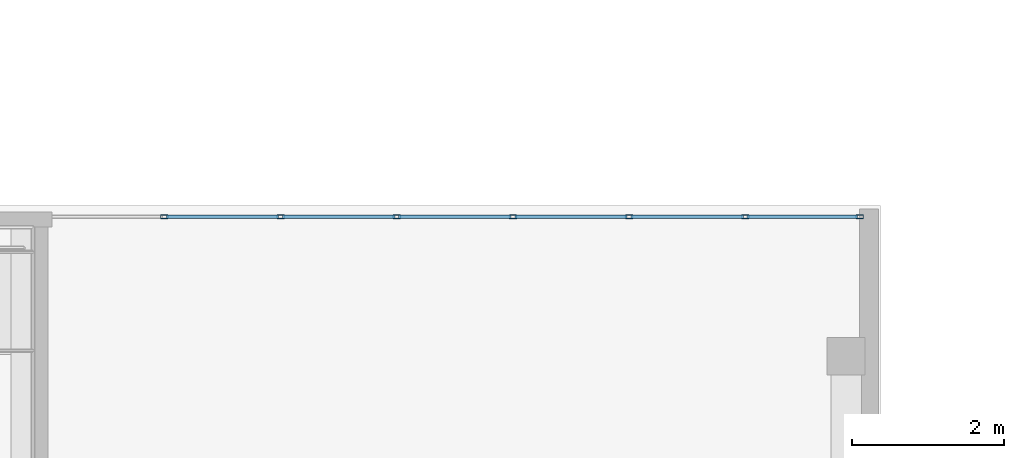
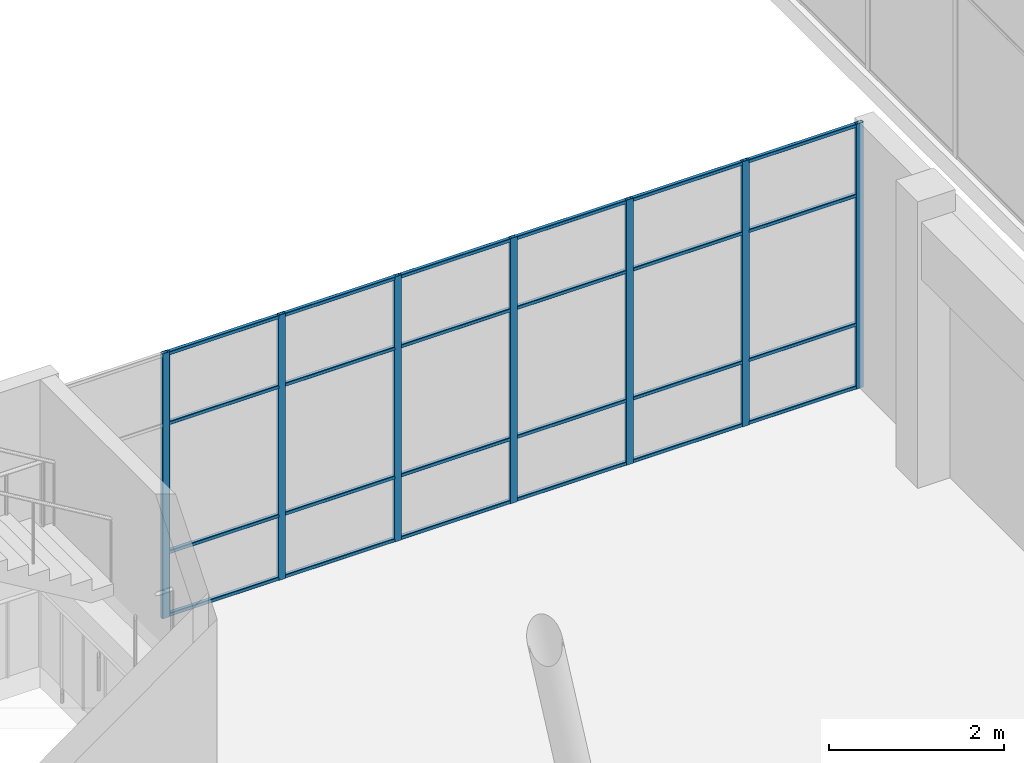
# One storey, part 24 of 65: 31 members, 1 element without a shape of its own.
"""IFC4 building model written with IfcOpenShell, lengths in metres."""

from ifc_helpers import new_model, si_unit, direction, frame, origin, origin_2d, place, context, subcontext, project, spatial, hollow_rectangle, extrude, material, layer, layer_set, material_profile, profile_set, type_object, element, aggregate, save


model = new_model("IFC4")

# Units and contexts
model_context = context("Model", 3, precision=1e-05, world=origin(), true_north=direction((0.0, 1.0)))
body_context = subcontext(model_context, "Body", "Model", "MODEL_VIEW")
ifc_project = project(units=[si_unit("LENGTHUNIT", "METRE"), si_unit("AREAUNIT", "SQUARE_METRE"), si_unit("VOLUMEUNIT", "CUBIC_METRE"), si_unit("PLANEANGLEUNIT", "RADIAN"), si_unit("MASSUNIT", "GRAM", prefix="KILO")], contexts=[model_context])

# Site, building, storey
site_placement = place(None, origin())
site = spatial("IfcSite", under=ifc_project, at=site_placement, CompositionType="ELEMENT")
building_placement = place(site_placement, origin())
building = spatial("IfcBuilding", under=site, at=building_placement, Name="Tuart Plaza Theatre", CompositionType="ELEMENT")
storey_placement = place(building_placement, frame((0.0, 0.0, 9.5)))
storey = spatial("IfcBuildingStorey", under=building, at=storey_placement, Name="L02", CompositionType="ELEMENT", Elevation=9.5)

# Curtain wall, members
ifc_material_1 = material(Name="Aluminium and glass", Category="aluminium")
ifc_layer = layer(ifc_material_1, 0.10009765625)
ifc_layer_set = layer_set([ifc_layer], Name="CURTAIN WALL 1500 module")
curtain_wall_type = type_object("IfcCurtainWallType", Name="CURTAIN WALL 1500 module", PredefinedType="NOTDEFINED", material=ifc_layer_set)
curtain_wall_placement = place(storey_placement, origin())
curtain_wall = element("IfcCurtainWall", 1, at=curtain_wall_placement, inside=storey, type_object=curtain_wall_type, Name="CW36", PredefinedType="NOTDEFINED")
ifc_material_2 = material(Name="Aluminium 6063-T5", Category="aluminium")
ifc_material_profile_1 = material_profile(ifc_material_2, hollow_rectangle(XDim=0.050048828125, YDim=0.10009765625, WallThickness=0.00390625, InnerFilletRadius=0.00390625, OuterFilletRadius=0.008056640625, at=origin_2d()), Name="RHS 100x50x4")
ifc_profile_set_1 = profile_set([ifc_material_profile_1], Name="Aluminium 6063-T5")
member_type_1 = type_object("IfcMemberType", Name="MULLION RHS 100x50x4", PredefinedType="MULLION", material=ifc_profile_set_1)
member_1_placement = place(storey_placement, frame((100.930419921875, 79.8369140625, 0.0), z_axis=(0.0, 0.0, 1.0), x_axis=(0.0, 1.0, 0.0)))
member_1 = element("IfcMember", 2, at=member_1_placement, type_object=member_type_1, Name="CW36 mullion 2", PredefinedType="MULLION", context=body_context, shape_type="SweptSolid", body=[
    extrude(hollow_rectangle(XDim=0.050048828125, YDim=0.10009765625, WallThickness=0.00390625, InnerFilletRadius=0.00390625, OuterFilletRadius=0.008056640625, at=origin_2d()), origin(), (0.0, 0.0, 1.0), 3.699951171875),
])
member_2_placement = place(storey_placement, frame((102.4609375, 79.8369140625, 0.0), z_axis=(0.0, 0.0, 1.0), x_axis=(0.0, 1.0, 0.0)))
member_2 = element("IfcMember", 3, at=member_2_placement, type_object=member_type_1, Name="CW36 mullion 3", PredefinedType="MULLION", context=body_context, shape_type="SweptSolid", body=[
    extrude(hollow_rectangle(XDim=0.050048828125, YDim=0.10009765625, WallThickness=0.00390625, InnerFilletRadius=0.00390625, OuterFilletRadius=0.008056640625, at=origin_2d()), origin(), (0.0, 0.0, 1.0), 3.699951171875),
])
member_3_placement = place(storey_placement, frame((103.9912109375, 79.8369140625, 0.0), z_axis=(0.0, 0.0, 1.0), x_axis=(0.0, 1.0, 0.0)))
member_3 = element("IfcMember", 4, at=member_3_placement, type_object=member_type_1, Name="CW36 mullion 4", PredefinedType="MULLION", context=body_context, shape_type="SweptSolid", body=[
    extrude(hollow_rectangle(XDim=0.050048828125, YDim=0.10009765625, WallThickness=0.00390625, InnerFilletRadius=0.00390625, OuterFilletRadius=0.008056640625, at=origin_2d()), origin(), (0.0, 0.0, 1.0), 3.699951171875),
])
member_4_placement = place(storey_placement, frame((105.521728515625, 79.8369140625, 0.0), z_axis=(0.0, 0.0, 1.0), x_axis=(0.0, 1.0, 0.0)))
member_4 = element("IfcMember", 5, at=member_4_placement, type_object=member_type_1, Name="CW36 mullion 5", PredefinedType="MULLION", context=body_context, shape_type="SweptSolid", body=[
    extrude(hollow_rectangle(XDim=0.050048828125, YDim=0.10009765625, WallThickness=0.00390625, InnerFilletRadius=0.00390625, OuterFilletRadius=0.008056640625, at=origin_2d()), origin(), (0.0, 0.0, 1.0), 3.699951171875),
])
member_5_placement = place(storey_placement, frame((107.05224609375, 79.8369140625, 0.0), z_axis=(0.0, 0.0, 1.0), x_axis=(0.0, 1.0, 0.0)))
member_5 = element("IfcMember", 6, at=member_5_placement, type_object=member_type_1, Name="CW36 mullion 6", PredefinedType="MULLION", context=body_context, shape_type="SweptSolid", body=[
    extrude(hollow_rectangle(XDim=0.050048828125, YDim=0.10009765625, WallThickness=0.00390625, InnerFilletRadius=0.00390625, OuterFilletRadius=0.008056640625, at=origin_2d()), origin(), (0.0, 0.0, 1.0), 3.699951171875),
])
member_6_placement = place(storey_placement, frame((108.58251953125, 79.8369140625, 0.0), z_axis=(0.0, 0.0, 1.0), x_axis=(0.0, 1.0, 0.0)))
member_6 = element("IfcMember", 7, at=member_6_placement, type_object=member_type_1, Name="CW36 mullion 7", PredefinedType="MULLION", context=body_context, shape_type="SweptSolid", body=[
    extrude(hollow_rectangle(XDim=0.050048828125, YDim=0.10009765625, WallThickness=0.00390625, InnerFilletRadius=0.00390625, OuterFilletRadius=0.008056640625, at=origin_2d()), origin(), (0.0, 0.0, 1.0), 3.699951171875),
])
member_7_placement = place(storey_placement, frame((110.087890625, 79.8369140625, 0.0), z_axis=(0.0, 0.0, 1.0), x_axis=(0.0, 1.0, 0.0)))
member_7 = element("IfcMember", 8, at=member_7_placement, type_object=member_type_1, Name="CW36 mullion 8", PredefinedType="MULLION", context=body_context, shape_type="SweptSolid", body=[
    extrude(hollow_rectangle(XDim=0.050048828125, YDim=0.10009765625, WallThickness=0.00390625, InnerFilletRadius=0.00390625, OuterFilletRadius=0.008056640625, at=origin_2d()), origin(), (0.0, 0.0, 1.0), 3.699951171875),
])
ifc_material_3 = material(Name="Aluminium 6063-T5", Category="aluminium")
ifc_material_profile_2 = material_profile(ifc_material_3, hollow_rectangle(XDim=0.050048828125, YDim=0.050048828125, WallThickness=0.00390625, InnerFilletRadius=0.00390625, OuterFilletRadius=0.008056640625, at=origin_2d()), Name="RHS 50x50x4")
ifc_profile_set_2 = profile_set([ifc_material_profile_2], Name="Aluminium 6063-T5")
member_type_2 = type_object("IfcMemberType", Name="TRANSOM RHS 50x50x4", PredefinedType="USERDEFINED", material=ifc_profile_set_2)
member_8_placement = place(storey_placement, frame((100.955322265625, 79.8369140625, 0.02490234375), z_axis=(1.0, 0.0, 0.0), x_axis=(0.0, 1.0, 0.0)))
member_8 = element("IfcMember", 9, at=member_8_placement, type_object=member_type_2, Name="CW36 transom 2.1", ObjectType="TRANSOM", PredefinedType="USERDEFINED", context=body_context, shape_type="SweptSolid", body=[
    extrude(hollow_rectangle(XDim=0.050048828125, YDim=0.050048828125, WallThickness=0.00390625, InnerFilletRadius=0.00390625, OuterFilletRadius=0.008056640625, at=origin_2d()), origin(), (0.0, 0.0, 1.0), 1.48046875),
])
member_9_placement = place(storey_placement, frame((100.955322265625, 79.8369140625, 0.89990234375), z_axis=(1.0, 0.0, 0.0), x_axis=(0.0, 1.0, 0.0)))
member_9 = element("IfcMember", 10, at=member_9_placement, type_object=member_type_2, Name="CW36 transom 2.2", ObjectType="TRANSOM", PredefinedType="USERDEFINED", context=body_context, shape_type="SweptSolid", body=[
    extrude(hollow_rectangle(XDim=0.050048828125, YDim=0.050048828125, WallThickness=0.00390625, InnerFilletRadius=0.00390625, OuterFilletRadius=0.008056640625, at=origin_2d()), origin(), (0.0, 0.0, 1.0), 1.48046875),
])
member_10_placement = place(storey_placement, frame((100.955322265625, 79.8369140625, 2.699951171875), z_axis=(1.0, 0.0, 0.0), x_axis=(0.0, 1.0, 0.0)))
member_10 = element("IfcMember", 11, at=member_10_placement, type_object=member_type_2, Name="CW36 transom 2.3", ObjectType="TRANSOM", PredefinedType="USERDEFINED", context=body_context, shape_type="SweptSolid", body=[
    extrude(hollow_rectangle(XDim=0.050048828125, YDim=0.050048828125, WallThickness=0.00390625, InnerFilletRadius=0.00390625, OuterFilletRadius=0.008056640625, at=origin_2d()), origin(), (0.0, 0.0, 1.0), 1.48046875),
])
member_11_placement = place(storey_placement, frame((100.955322265625, 79.8369140625, 3.675048828125), z_axis=(1.0, 0.0, 0.0), x_axis=(0.0, 1.0, 0.0)))
member_11 = element("IfcMember", 12, at=member_11_placement, type_object=member_type_2, Name="CW36 transom 2.4", ObjectType="TRANSOM", PredefinedType="USERDEFINED", context=body_context, shape_type="SweptSolid", body=[
    extrude(hollow_rectangle(XDim=0.050048828125, YDim=0.050048828125, WallThickness=0.00390625, InnerFilletRadius=0.00390625, OuterFilletRadius=0.008056640625, at=origin_2d()), origin(), (0.0, 0.0, 1.0), 1.48046875),
])
member_12_placement = place(storey_placement, frame((102.48583984375, 79.8369140625, 0.02490234375), z_axis=(1.0, 0.0, 0.0), x_axis=(0.0, 1.0, 0.0)))
member_12 = element("IfcMember", 13, at=member_12_placement, type_object=member_type_2, Name="CW36 transom 3.1", ObjectType="TRANSOM", PredefinedType="USERDEFINED", context=body_context, shape_type="SweptSolid", body=[
    extrude(hollow_rectangle(XDim=0.050048828125, YDim=0.050048828125, WallThickness=0.00390625, InnerFilletRadius=0.00390625, OuterFilletRadius=0.008056640625, at=origin_2d()), origin(), (0.0, 0.0, 1.0), 1.48046875),
])
member_13_placement = place(storey_placement, frame((102.48583984375, 79.8369140625, 0.89990234375), z_axis=(1.0, 0.0, 0.0), x_axis=(0.0, 1.0, 0.0)))
member_13 = element("IfcMember", 14, at=member_13_placement, type_object=member_type_2, Name="CW36 transom 3.2", ObjectType="TRANSOM", PredefinedType="USERDEFINED", context=body_context, shape_type="SweptSolid", body=[
    extrude(hollow_rectangle(XDim=0.050048828125, YDim=0.050048828125, WallThickness=0.00390625, InnerFilletRadius=0.00390625, OuterFilletRadius=0.008056640625, at=origin_2d()), origin(), (0.0, 0.0, 1.0), 1.48046875),
])
member_14_placement = place(storey_placement, frame((102.48583984375, 79.8369140625, 2.699951171875), z_axis=(1.0, 0.0, 0.0), x_axis=(0.0, 1.0, 0.0)))
member_14 = element("IfcMember", 15, at=member_14_placement, type_object=member_type_2, Name="CW36 transom 3.3", ObjectType="TRANSOM", PredefinedType="USERDEFINED", context=body_context, shape_type="SweptSolid", body=[
    extrude(hollow_rectangle(XDim=0.050048828125, YDim=0.050048828125, WallThickness=0.00390625, InnerFilletRadius=0.00390625, OuterFilletRadius=0.008056640625, at=origin_2d()), origin(), (0.0, 0.0, 1.0), 1.48046875),
])
member_15_placement = place(storey_placement, frame((102.48583984375, 79.8369140625, 3.675048828125), z_axis=(1.0, 0.0, 0.0), x_axis=(0.0, 1.0, 0.0)))
member_15 = element("IfcMember", 16, at=member_15_placement, type_object=member_type_2, Name="CW36 transom 3.4", ObjectType="TRANSOM", PredefinedType="USERDEFINED", context=body_context, shape_type="SweptSolid", body=[
    extrude(hollow_rectangle(XDim=0.050048828125, YDim=0.050048828125, WallThickness=0.00390625, InnerFilletRadius=0.00390625, OuterFilletRadius=0.008056640625, at=origin_2d()), origin(), (0.0, 0.0, 1.0), 1.48046875),
])
member_16_placement = place(storey_placement, frame((104.016357421875, 79.8369140625, 0.02490234375), z_axis=(1.0, 0.0, 0.0), x_axis=(0.0, 1.0, 0.0)))
member_16 = element("IfcMember", 17, at=member_16_placement, type_object=member_type_2, Name="CW36 transom 4.1", ObjectType="TRANSOM", PredefinedType="USERDEFINED", context=body_context, shape_type="SweptSolid", body=[
    extrude(hollow_rectangle(XDim=0.050048828125, YDim=0.050048828125, WallThickness=0.00390625, InnerFilletRadius=0.00390625, OuterFilletRadius=0.008056640625, at=origin_2d()), origin(), (0.0, 0.0, 1.0), 1.48046875),
])
member_17_placement = place(storey_placement, frame((104.016357421875, 79.8369140625, 0.89990234375), z_axis=(1.0, 0.0, 0.0), x_axis=(0.0, 1.0, 0.0)))
member_17 = element("IfcMember", 18, at=member_17_placement, type_object=member_type_2, Name="CW36 transom 4.2", ObjectType="TRANSOM", PredefinedType="USERDEFINED", context=body_context, shape_type="SweptSolid", body=[
    extrude(hollow_rectangle(XDim=0.050048828125, YDim=0.050048828125, WallThickness=0.00390625, InnerFilletRadius=0.00390625, OuterFilletRadius=0.008056640625, at=origin_2d()), origin(), (0.0, 0.0, 1.0), 1.48046875),
])
member_18_placement = place(storey_placement, frame((104.016357421875, 79.8369140625, 2.699951171875), z_axis=(1.0, 0.0, 0.0), x_axis=(0.0, 1.0, 0.0)))
member_18 = element("IfcMember", 19, at=member_18_placement, type_object=member_type_2, Name="CW36 transom 4.3", ObjectType="TRANSOM", PredefinedType="USERDEFINED", context=body_context, shape_type="SweptSolid", body=[
    extrude(hollow_rectangle(XDim=0.050048828125, YDim=0.050048828125, WallThickness=0.00390625, InnerFilletRadius=0.00390625, OuterFilletRadius=0.008056640625, at=origin_2d()), origin(), (0.0, 0.0, 1.0), 1.48046875),
])
member_19_placement = place(storey_placement, frame((104.016357421875, 79.8369140625, 3.675048828125), z_axis=(1.0, 0.0, 0.0), x_axis=(0.0, 1.0, 0.0)))
member_19 = element("IfcMember", 20, at=member_19_placement, type_object=member_type_2, Name="CW36 transom 4.4", ObjectType="TRANSOM", PredefinedType="USERDEFINED", context=body_context, shape_type="SweptSolid", body=[
    extrude(hollow_rectangle(XDim=0.050048828125, YDim=0.050048828125, WallThickness=0.00390625, InnerFilletRadius=0.00390625, OuterFilletRadius=0.008056640625, at=origin_2d()), origin(), (0.0, 0.0, 1.0), 1.48046875),
])
member_20_placement = place(storey_placement, frame((105.546630859375, 79.8369140625, 0.02490234375), z_axis=(1.0, 0.0, 0.0), x_axis=(0.0, 1.0, 0.0)))
member_20 = element("IfcMember", 21, at=member_20_placement, type_object=member_type_2, Name="CW36 transom 5.1", ObjectType="TRANSOM", PredefinedType="USERDEFINED", context=body_context, shape_type="SweptSolid", body=[
    extrude(hollow_rectangle(XDim=0.050048828125, YDim=0.050048828125, WallThickness=0.00390625, InnerFilletRadius=0.00390625, OuterFilletRadius=0.008056640625, at=origin_2d()), origin(), (0.0, 0.0, 1.0), 1.48046875),
])
member_21_placement = place(storey_placement, frame((105.546630859375, 79.8369140625, 0.89990234375), z_axis=(1.0, 0.0, 0.0), x_axis=(0.0, 1.0, 0.0)))
member_21 = element("IfcMember", 22, at=member_21_placement, type_object=member_type_2, Name="CW36 transom 5.2", ObjectType="TRANSOM", PredefinedType="USERDEFINED", context=body_context, shape_type="SweptSolid", body=[
    extrude(hollow_rectangle(XDim=0.050048828125, YDim=0.050048828125, WallThickness=0.00390625, InnerFilletRadius=0.00390625, OuterFilletRadius=0.008056640625, at=origin_2d()), origin(), (0.0, 0.0, 1.0), 1.48046875),
])
member_22_placement = place(storey_placement, frame((105.546630859375, 79.8369140625, 2.699951171875), z_axis=(1.0, 0.0, 0.0), x_axis=(0.0, 1.0, 0.0)))
member_22 = element("IfcMember", 23, at=member_22_placement, type_object=member_type_2, Name="CW36 transom 5.3", ObjectType="TRANSOM", PredefinedType="USERDEFINED", context=body_context, shape_type="SweptSolid", body=[
    extrude(hollow_rectangle(XDim=0.050048828125, YDim=0.050048828125, WallThickness=0.00390625, InnerFilletRadius=0.00390625, OuterFilletRadius=0.008056640625, at=origin_2d()), origin(), (0.0, 0.0, 1.0), 1.48046875),
])
member_23_placement = place(storey_placement, frame((105.546630859375, 79.8369140625, 3.675048828125), z_axis=(1.0, 0.0, 0.0), x_axis=(0.0, 1.0, 0.0)))
member_23 = element("IfcMember", 24, at=member_23_placement, type_object=member_type_2, Name="CW36 transom 5.4", ObjectType="TRANSOM", PredefinedType="USERDEFINED", context=body_context, shape_type="SweptSolid", body=[
    extrude(hollow_rectangle(XDim=0.050048828125, YDim=0.050048828125, WallThickness=0.00390625, InnerFilletRadius=0.00390625, OuterFilletRadius=0.008056640625, at=origin_2d()), origin(), (0.0, 0.0, 1.0), 1.48046875),
])
member_24_placement = place(storey_placement, frame((107.0771484375, 79.8369140625, 0.02490234375), z_axis=(1.0, 0.0, 0.0), x_axis=(0.0, 1.0, 0.0)))
member_24 = element("IfcMember", 25, at=member_24_placement, type_object=member_type_2, Name="CW36 transom 6.1", ObjectType="TRANSOM", PredefinedType="USERDEFINED", context=body_context, shape_type="SweptSolid", body=[
    extrude(hollow_rectangle(XDim=0.050048828125, YDim=0.050048828125, WallThickness=0.00390625, InnerFilletRadius=0.00390625, OuterFilletRadius=0.008056640625, at=origin_2d()), origin(), (0.0, 0.0, 1.0), 1.48046875),
])
member_25_placement = place(storey_placement, frame((107.0771484375, 79.8369140625, 0.89990234375), z_axis=(1.0, 0.0, 0.0), x_axis=(0.0, 1.0, 0.0)))
member_25 = element("IfcMember", 26, at=member_25_placement, type_object=member_type_2, Name="CW36 transom 6.2", ObjectType="TRANSOM", PredefinedType="USERDEFINED", context=body_context, shape_type="SweptSolid", body=[
    extrude(hollow_rectangle(XDim=0.050048828125, YDim=0.050048828125, WallThickness=0.00390625, InnerFilletRadius=0.00390625, OuterFilletRadius=0.008056640625, at=origin_2d()), origin(), (0.0, 0.0, 1.0), 1.48046875),
])
member_26_placement = place(storey_placement, frame((107.0771484375, 79.8369140625, 2.699951171875), z_axis=(1.0, 0.0, 0.0), x_axis=(0.0, 1.0, 0.0)))
member_26 = element("IfcMember", 27, at=member_26_placement, type_object=member_type_2, Name="CW36 transom 6.3", ObjectType="TRANSOM", PredefinedType="USERDEFINED", context=body_context, shape_type="SweptSolid", body=[
    extrude(hollow_rectangle(XDim=0.050048828125, YDim=0.050048828125, WallThickness=0.00390625, InnerFilletRadius=0.00390625, OuterFilletRadius=0.008056640625, at=origin_2d()), origin(), (0.0, 0.0, 1.0), 1.48046875),
])
member_27_placement = place(storey_placement, frame((107.0771484375, 79.8369140625, 3.675048828125), z_axis=(1.0, 0.0, 0.0), x_axis=(0.0, 1.0, 0.0)))
member_27 = element("IfcMember", 28, at=member_27_placement, type_object=member_type_2, Name="CW36 transom 6.4", ObjectType="TRANSOM", PredefinedType="USERDEFINED", context=body_context, shape_type="SweptSolid", body=[
    extrude(hollow_rectangle(XDim=0.050048828125, YDim=0.050048828125, WallThickness=0.00390625, InnerFilletRadius=0.00390625, OuterFilletRadius=0.008056640625, at=origin_2d()), origin(), (0.0, 0.0, 1.0), 1.48046875),
])
member_28_placement = place(storey_placement, frame((108.607666015625, 79.8369140625, 0.02490234375), z_axis=(1.0, 0.0, 0.0), x_axis=(0.0, 1.0, 0.0)))
member_28 = element("IfcMember", 29, at=member_28_placement, type_object=member_type_2, Name="CW36 transom 7.1", ObjectType="TRANSOM", PredefinedType="USERDEFINED", context=body_context, shape_type="SweptSolid", body=[
    extrude(hollow_rectangle(XDim=0.050048828125, YDim=0.050048828125, WallThickness=0.00390625, InnerFilletRadius=0.00390625, OuterFilletRadius=0.008056640625, at=origin_2d()), origin(), (0.0, 0.0, 1.0), 1.455322265625),
])
member_29_placement = place(storey_placement, frame((108.607666015625, 79.8369140625, 0.89990234375), z_axis=(1.0, 0.0, 0.0), x_axis=(0.0, 1.0, 0.0)))
member_29 = element("IfcMember", 30, at=member_29_placement, type_object=member_type_2, Name="CW36 transom 7.2", ObjectType="TRANSOM", PredefinedType="USERDEFINED", context=body_context, shape_type="SweptSolid", body=[
    extrude(hollow_rectangle(XDim=0.050048828125, YDim=0.050048828125, WallThickness=0.00390625, InnerFilletRadius=0.00390625, OuterFilletRadius=0.008056640625, at=origin_2d()), origin(), (0.0, 0.0, 1.0), 1.455322265625),
])
member_30_placement = place(storey_placement, frame((108.607666015625, 79.8369140625, 2.699951171875), z_axis=(1.0, 0.0, 0.0), x_axis=(0.0, 1.0, 0.0)))
member_30 = element("IfcMember", 31, at=member_30_placement, type_object=member_type_2, Name="CW36 transom 7.3", ObjectType="TRANSOM", PredefinedType="USERDEFINED", context=body_context, shape_type="SweptSolid", body=[
    extrude(hollow_rectangle(XDim=0.050048828125, YDim=0.050048828125, WallThickness=0.00390625, InnerFilletRadius=0.00390625, OuterFilletRadius=0.008056640625, at=origin_2d()), origin(), (0.0, 0.0, 1.0), 1.455322265625),
])
member_31_placement = place(storey_placement, frame((108.607666015625, 79.8369140625, 3.675048828125), z_axis=(1.0, 0.0, 0.0), x_axis=(0.0, 1.0, 0.0)))
member_31 = element("IfcMember", 32, at=member_31_placement, type_object=member_type_2, Name="CW36 transom 7.4", ObjectType="TRANSOM", PredefinedType="USERDEFINED", context=body_context, shape_type="SweptSolid", body=[
    extrude(hollow_rectangle(XDim=0.050048828125, YDim=0.050048828125, WallThickness=0.00390625, InnerFilletRadius=0.00390625, OuterFilletRadius=0.008056640625, at=origin_2d()), origin(), (0.0, 0.0, 1.0), 1.455322265625),
])
aggregate(curtain_wall, [member_1, member_2, member_3, member_4, member_5, member_6, member_7, member_8, member_9, member_10, member_11, member_12, member_13, member_14, member_15, member_16, member_17, member_18, member_19, member_20, member_21, member_22, member_23, member_24, member_25, member_26, member_27, member_28, member_29, member_30, member_31])

save(model, "model.ifc")
